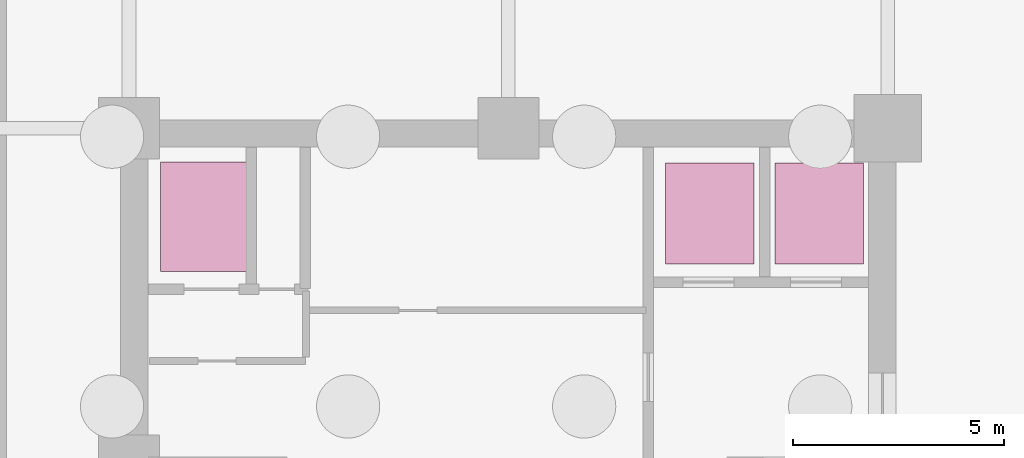
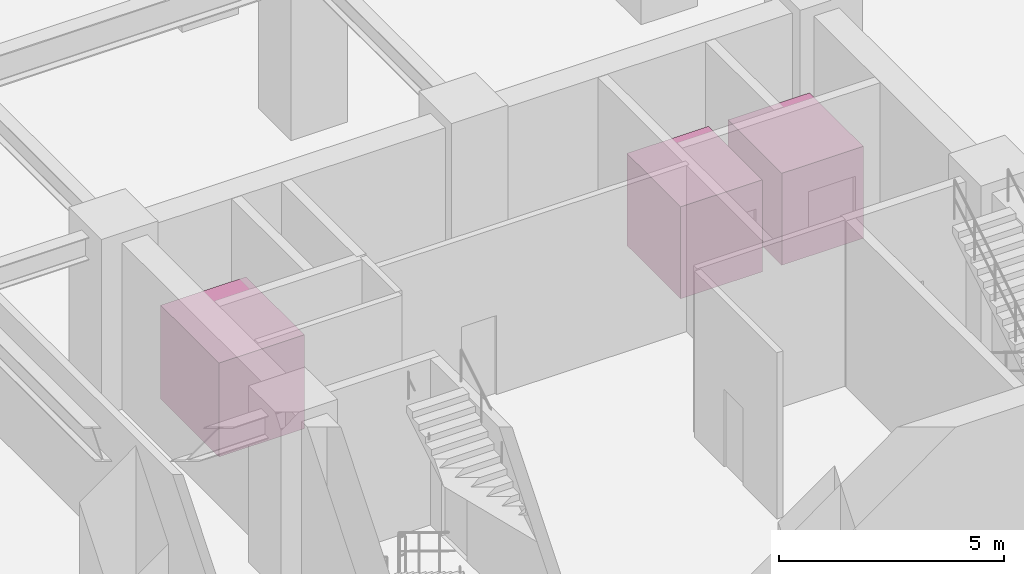
# One storey, part 11 of 11: 3 transport elements.
"""IFC4 building model written with IfcOpenShell, lengths in metres."""

from ifc_helpers import new_model, si_unit, direction, frame, origin, origin_2d, place, context, subcontext, project, spatial, rectangle, extrude, source, transform, mapped, material, type_object, element, save


model = new_model("IFC4")

# Units and contexts
model_context = context("Model", 3, precision=1e-05, world=origin(), true_north=direction((0.0, 1.0)))
body_context = subcontext(model_context, "Body", "Model", "MODEL_VIEW")
ifc_project = project(units=[si_unit("LENGTHUNIT", "METRE"), si_unit("AREAUNIT", "SQUARE_METRE"), si_unit("VOLUMEUNIT", "CUBIC_METRE"), si_unit("PLANEANGLEUNIT", "RADIAN"), si_unit("MASSUNIT", "GRAM", prefix="KILO")], contexts=[model_context])

# Site, building, storey
site_placement = place(None, origin())
site = spatial("IfcSite", under=ifc_project, at=site_placement, CompositionType="ELEMENT")
building_placement = place(site_placement, origin())
building = spatial("IfcBuilding", under=site, at=building_placement, Name="Torre Montelarca", CompositionType="ELEMENT")
storey_placement = place(building_placement, frame((0.0, 0.0, -9.60009765625)))
storey = spatial("IfcBuildingStorey", under=building, at=storey_placement, Name="B2", CompositionType="ELEMENT", Elevation=-9.60009765625)

# Transport elements
ifc_material = material(Name="Brushed stainless steel AISI 316", Category="steel")
transport_element_type_1 = type_object("IfcTransportElementType", Name="LFT-FIRE-2000", PredefinedType="ELEVATOR", material=ifc_material)
shared_shape_1 = source(origin(), body_context, "Body", "SweptSolid", [
    extrude(rectangle(XDim=2.10009765625, YDim=2.39990234375, at=origin_2d()), origin(), (0.0, 0.0, 1.0), 2.5),
])
for number, where, z_axis, x_axis, name in (
    (1, (22.77490234375, 37.97509765625, -0.0048828125), (0.0, 0.0, 1.0), (1.0, 0.0, 0.0), "Firefighting Lift FF-1"),
    (2, (25.375, 37.97509765625, -0.0048828125), (0.0, 0.0, 1.0), (1.0, 0.0, 0.0), "Firefighting Lift FF-2"),
):
    element("IfcTransportElement", number, at=place(storey_placement, frame(where, z_axis=z_axis, x_axis=x_axis)), inside=storey, type_object=transport_element_type_1, Name=name, PredefinedType="ELEVATOR", context=body_context, shape_type="MappedRepresentation", body=[
        mapped(shared_shape_1, transform((0.0, 0.0, 0.0), scale=1.0)),
    ])
transport_element_type_2 = type_object("IfcTransportElementType", Name="LFT-SERV-2500", PredefinedType="ELEVATOR", material=ifc_material)
shared_shape_2 = source(origin(), body_context, "Body", "SweptSolid", [
    extrude(rectangle(XDim=2.199951171875, YDim=2.60009765625, at=origin_2d()), origin(), (0.0, 0.0, 1.0), 2.550048828125),
])
transport_element_placement = place(storey_placement, frame((10.85009765625, 37.89990234375, -0.0048828125), z_axis=(0.0, 0.0, 1.0), x_axis=(1.0, 0.0, 0.0)))
element("IfcTransportElement", 3, at=transport_element_placement, inside=storey, type_object=transport_element_type_2, Name="Service and Goods Lift SV-1", PredefinedType="ELEVATOR", context=body_context, shape_type="MappedRepresentation", body=[
    mapped(shared_shape_2, transform((0.0, 0.0, 0.0), scale=1.0)),
])

save(model, "model.ifc")
